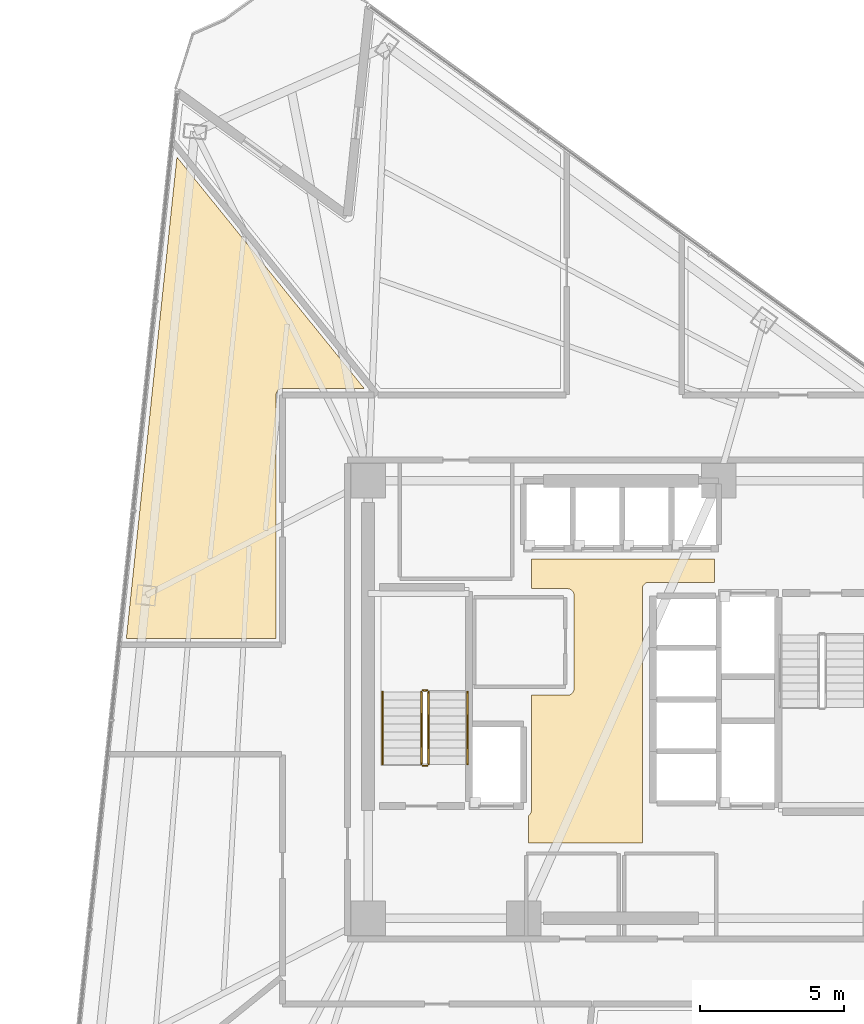
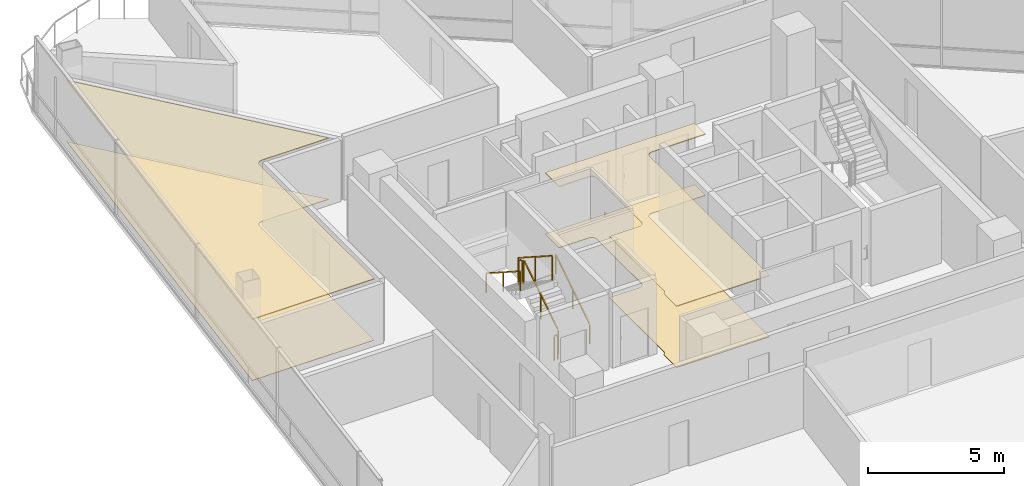
# One storey, part 15 of 17: 6 railings, 4 coverings.
"""IFC4 building model written with IfcOpenShell, lengths in metres."""

from ifc_helpers import new_model, si_unit, direction, frame, origin, origin_2d, place, context, subcontext, project, spatial, polyline, rectangle, outline, extrude, material, layer, layer_set, type_object, element, save


model = new_model("IFC4")

# Units and contexts
model_context = context("Model", 3, precision=1e-05, world=origin(), true_north=direction((0.0, 1.0)))
body_context = subcontext(model_context, "Body", "Model", "MODEL_VIEW")
ifc_project = project(units=[si_unit("LENGTHUNIT", "METRE"), si_unit("AREAUNIT", "SQUARE_METRE"), si_unit("VOLUMEUNIT", "CUBIC_METRE"), si_unit("PLANEANGLEUNIT", "RADIAN"), si_unit("MASSUNIT", "GRAM", prefix="KILO")], contexts=[model_context])

# Site, building, storey
site_placement = place(None, origin())
site = spatial("IfcSite", under=ifc_project, at=site_placement, CompositionType="ELEMENT")
building_placement = place(site_placement, origin())
building = spatial("IfcBuilding", under=site, at=building_placement, Name="Tharavind Bronze Gate", CompositionType="ELEMENT")
storey_placement = place(building_placement, frame((0.0, 0.0, 119.64990234375)))
storey = spatial("IfcBuildingStorey", under=building, at=storey_placement, Name="L30", CompositionType="ELEMENT", Elevation=119.64990234375)

# Coverings
ifc_material_1 = material(Name="Perforated Bronze Acoustic Panel", Category="bronze")
ifc_layer_1 = layer(ifc_material_1, 0.044921875)
ifc_layer_set_1 = layer_set([ifc_layer_1], Name="Perforated Bronze Acoustic Panel")
covering_type_1 = type_object("IfcCoveringType", Name="ACOUSTIC BRONZE BAFFLE CEILING", PredefinedType="CEILING", material=ifc_layer_set_1)
covering_1_placement = place(storey_placement, frame((0.0, 0.0, 2.75)))
element("IfcCovering", 1, at=covering_1_placement, inside=storey, type_object=covering_type_1, Name="L30-C-LL suspended ceiling", PredefinedType="CEILING", context=body_context, shape_type="SweptSolid", body=[
    extrude(outline(polyline([(-3.330078125, -4.97998046875), (0.6298828125, -4.97998046875), (0.6298828125, 3.85009765625), (0.631103515625, 3.87158203125), (0.63427734375, 3.892822265625), (0.639404296875, 3.913818359375), (0.646728515625, 3.93408203125), (0.656005859375, 3.95361328125), (0.6669921875, 3.97216796875), (0.679931640625, 3.989501953125), (0.6943359375, 4.005615234375), (0.71044921875, 4.02001953125), (0.727783203125, 4.032958984375), (0.746337890625, 4.0439453125), (0.765869140625, 4.05322265625), (0.7861328125, 4.060546875), (0.80712890625, 4.06591796875), (0.828369140625, 4.06884765625), (0.85009765625, 4.070068359375), (3.1298828125, 4.070068359375), (3.1298828125, 4.8798828125), (-3.22998046875, 4.8798828125), (-3.22998046875, 3.85009765625), (-1.969970703125, 3.85009765625), (-1.948486328125, 3.848876953125), (-1.927001953125, 3.845703125), (-1.906005859375, 3.840576171875), (-1.8857421875, 3.833251953125), (-1.8662109375, 3.823974609375), (-1.847900390625, 3.81298828125), (-1.830322265625, 3.800048828125), (-1.814453125, 3.78564453125), (-1.7998046875, 3.76953125), (-1.787109375, 3.752197265625), (-1.77587890625, 3.733642578125), (-1.7666015625, 3.714111328125), (-1.759521484375, 3.69384765625), (-1.754150390625, 3.6728515625), (-1.751220703125, 3.651611328125), (-1.75, 3.6298828125), (-1.75, 0.3701171875), (-1.751220703125, 0.348388671875), (-1.754150390625, 0.3271484375), (-1.759521484375, 0.30615234375), (-1.7666015625, 0.285888671875), (-1.77587890625, 0.266357421875), (-1.787109375, 0.247802734375), (-1.7998046875, 0.23046875), (-1.814453125, 0.21435546875), (-1.830322265625, 0.199951171875), (-1.847900390625, 0.18701171875), (-1.8662109375, 0.176025390625), (-1.8857421875, 0.166748046875), (-1.906005859375, 0.159423828125), (-1.927001953125, 0.154296875), (-1.948486328125, 0.151123046875), (-1.969970703125, 0.14990234375), (-3.22998046875, 0.14990234375), (-3.22998046875, -3.85009765625), (-3.231201171875, -3.87158203125), (-3.234130859375, -3.892822265625), (-3.239501953125, -3.913818359375), (-3.24658203125, -3.93408203125), (-3.256103515625, -3.95361328125), (-3.26708984375, -3.97216796875), (-3.27978515625, -3.989501953125), (-3.29443359375, -4.005615234375), (-3.310302734375, -4.02001953125), (-3.327880859375, -4.032958984375), (-3.330078125, -4.0341796875), (-3.330078125, -4.97998046875)])), origin(), (0.0, 0.0, 1.0), 0.03515625),
])
covering_2_placement = place(storey_placement, frame((0.0, 0.0, 2.75)))
element("IfcCovering", 2, at=covering_2_placement, inside=storey, type_object=covering_type_1, Name="L30-RM-03 suspended ceiling", PredefinedType="CEILING", context=body_context, shape_type="SweptSolid", body=[
    extrude(outline(polyline([(-12.10009765625, 2.1201171875), (-12.10009765625, 10.579345703125), (-12.099609375, 10.590087890625), (-12.099609375, 10.5908203125), (-12.09765625, 10.6123046875), (-12.093505859375, 10.63330078125), (-12.087158203125, 10.654052734375), (-12.078857421875, 10.674072265625), (-12.068603515625, 10.693115234375), (-12.056640625, 10.7109375), (-12.04296875, 10.727783203125), (-12.027587890625, 10.742919921875), (-12.010986328125, 10.756591796875), (-11.9931640625, 10.768798828125), (-11.97412109375, 10.77880859375), (-11.9541015625, 10.787109375), (-11.933349609375, 10.79345703125), (-11.912353515625, 10.797607421875), (-11.890869140625, 10.7998046875), (-11.89013671875, 10.7998046875), (-11.87939453125, 10.800048828125), (-9.02880859375, 10.800048828125), (-15.543701171875, 18.84521484375), (-17.301513671875, 2.1201171875), (-12.10009765625, 2.1201171875)])), origin(), (0.0, 0.0, 1.0), 0.03515625),
])
ifc_material_2 = material(Name="Engineered Oak & Carpet Tile", Category="wood")
ifc_layer_2 = layer(ifc_material_2, 0.02490234375)
ifc_layer_set_2 = layer_set([ifc_layer_2], Name="Engineered Oak & Carpet Tile")
covering_type_2 = type_object("IfcCoveringType", Name="ENGINEERED TIMBER FLOORING", PredefinedType="FLOORING", material=ifc_layer_set_2)
covering_3_placement = place(storey_placement, origin())
element("IfcCovering", 3, at=covering_3_placement, inside=storey, type_object=covering_type_2, Name="L30-RM-03 floor finish", PredefinedType="FLOORING", context=body_context, shape_type="SweptSolid", body=[
    extrude(outline(polyline([(-12.10009765625, 2.1201171875), (-12.10009765625, 10.579345703125), (-12.099609375, 10.590087890625), (-12.099609375, 10.5908203125), (-12.09765625, 10.6123046875), (-12.093505859375, 10.63330078125), (-12.087158203125, 10.654052734375), (-12.078857421875, 10.674072265625), (-12.068603515625, 10.693115234375), (-12.056640625, 10.7109375), (-12.04296875, 10.727783203125), (-12.027587890625, 10.742919921875), (-12.010986328125, 10.756591796875), (-11.9931640625, 10.768798828125), (-11.97412109375, 10.77880859375), (-11.9541015625, 10.787109375), (-11.933349609375, 10.79345703125), (-11.912353515625, 10.797607421875), (-11.890869140625, 10.7998046875), (-11.89013671875, 10.7998046875), (-11.87939453125, 10.800048828125), (-9.02880859375, 10.800048828125), (-15.543701171875, 18.84521484375), (-17.301513671875, 2.1201171875), (-12.10009765625, 2.1201171875)])), origin(), (0.0, 0.0, 1.0), 0.025146484375),
])
ifc_material_3 = material(Name="Honed Travertine Limestone", Category="masonry")
ifc_layer_3 = layer(ifc_material_3, 0.030029296875)
ifc_layer_set_3 = layer_set([ifc_layer_3], Name="Honed Travertine Limestone")
covering_type_3 = type_object("IfcCoveringType", Name="HONED LIMESTONE FLOORING", PredefinedType="FLOORING", material=ifc_layer_set_3)
covering_4_placement = place(storey_placement, origin())
element("IfcCovering", 4, at=covering_4_placement, inside=storey, type_object=covering_type_3, Name="L30-C-LL floor finish", PredefinedType="FLOORING", context=body_context, shape_type="SweptSolid", body=[
    extrude(outline(polyline([(-3.330078125, -4.97998046875), (0.6298828125, -4.97998046875), (0.6298828125, 3.85009765625), (0.631103515625, 3.87158203125), (0.63427734375, 3.892822265625), (0.639404296875, 3.913818359375), (0.646728515625, 3.93408203125), (0.656005859375, 3.95361328125), (0.6669921875, 3.97216796875), (0.679931640625, 3.989501953125), (0.6943359375, 4.005615234375), (0.71044921875, 4.02001953125), (0.727783203125, 4.032958984375), (0.746337890625, 4.0439453125), (0.765869140625, 4.05322265625), (0.7861328125, 4.060546875), (0.80712890625, 4.06591796875), (0.828369140625, 4.06884765625), (0.85009765625, 4.070068359375), (3.1298828125, 4.070068359375), (3.1298828125, 4.8798828125), (-3.22998046875, 4.8798828125), (-3.22998046875, 3.85009765625), (-1.969970703125, 3.85009765625), (-1.948486328125, 3.848876953125), (-1.927001953125, 3.845703125), (-1.906005859375, 3.840576171875), (-1.8857421875, 3.833251953125), (-1.8662109375, 3.823974609375), (-1.847900390625, 3.81298828125), (-1.830322265625, 3.800048828125), (-1.814453125, 3.78564453125), (-1.7998046875, 3.76953125), (-1.787109375, 3.752197265625), (-1.77587890625, 3.733642578125), (-1.7666015625, 3.714111328125), (-1.759521484375, 3.69384765625), (-1.754150390625, 3.6728515625), (-1.751220703125, 3.651611328125), (-1.75, 3.6298828125), (-1.75, 0.3701171875), (-1.751220703125, 0.348388671875), (-1.754150390625, 0.3271484375), (-1.759521484375, 0.30615234375), (-1.7666015625, 0.285888671875), (-1.77587890625, 0.266357421875), (-1.787109375, 0.247802734375), (-1.7998046875, 0.23046875), (-1.814453125, 0.21435546875), (-1.830322265625, 0.199951171875), (-1.847900390625, 0.18701171875), (-1.8662109375, 0.176025390625), (-1.8857421875, 0.166748046875), (-1.906005859375, 0.159423828125), (-1.927001953125, 0.154296875), (-1.948486328125, 0.151123046875), (-1.969970703125, 0.14990234375), (-3.22998046875, 0.14990234375), (-3.22998046875, -3.85009765625), (-3.231201171875, -3.87158203125), (-3.234130859375, -3.892822265625), (-3.239501953125, -3.913818359375), (-3.24658203125, -3.93408203125), (-3.256103515625, -3.95361328125), (-3.26708984375, -3.97216796875), (-3.27978515625, -3.989501953125), (-3.29443359375, -4.005615234375), (-3.310302734375, -4.02001953125), (-3.327880859375, -4.032958984375), (-3.330078125, -4.0341796875), (-3.330078125, -4.97998046875)])), origin(), (0.0, 0.0, 1.0), 0.025146484375),
])

# Railings
ifc_material_4 = material(Name="Brushed Bronze Alloy", Category="metal")
railing_type_1 = type_object("IfcRailingType", Name="STAIR BRONZE HANDRAIL 900", PredefinedType="HANDRAIL", material=ifc_material_4)
railing_1_placement = place(storey_placement, frame((-5.449951171875, -2.25, 0.18017578125)))
element("IfcRailing", 5, at=railing_1_placement, inside=storey, type_object=railing_type_1, Name="L30 ST1 stair handrail 1", PredefinedType="HANDRAIL", context=body_context, shape_type="SweptSolid", body=[
    extrude(rectangle(XDim=0.048095703125, YDim=0.048095703125, at=origin_2d()), frame((0.0, 0.02685546875, 0.89306640625), z_axis=(0.0, 0.841199657755, 0.540724639528), x_axis=(-1.0, 0.0, 0.0)), (0.0, 0.0, 1.0), 2.931640625),
    extrude(rectangle(XDim=0.0400390625, YDim=0.0400390625, at=origin_2d()), origin(), (0.0, 0.0, 1.0), 0.847900390625),
    extrude(rectangle(XDim=0.0400390625, YDim=0.0400390625, at=origin_2d()), frame((0.0, 1.260009765625, 0.81005859375)), (0.0, 0.0, 1.0), 0.847900390625),
    extrude(rectangle(XDim=0.0400390625, YDim=0.0400390625, at=origin_2d()), frame((0.0, 2.52001953125, 1.619873046875)), (0.0, 0.0, 1.0), 0.847900390625),
])
railing_2_placement = place(storey_placement, frame((-8.39990234375, 0.27001953125, 1.97998046875)))
element("IfcRailing", 6, at=railing_2_placement, inside=storey, type_object=railing_type_1, Name="L30 ST1 stair handrail 2", PredefinedType="HANDRAIL", context=body_context, shape_type="SweptSolid", body=[
    extrude(rectangle(XDim=0.048095703125, YDim=0.048095703125, at=origin_2d()), frame((0.0, -0.02685546875, 0.89306640625), z_axis=(0.0, -0.841162588446, 0.540782303519), x_axis=(1.0, 0.0, 0.0)), (0.0, 0.0, 1.0), 2.931884765625),
    extrude(rectangle(XDim=0.0400390625, YDim=0.0400390625, at=origin_2d()), origin(), (0.0, 0.0, 1.0), 0.847900390625),
    extrude(rectangle(XDim=0.0400390625, YDim=0.0400390625, at=origin_2d()), frame((0.0, -1.260009765625, 0.81005859375)), (0.0, 0.0, 1.0), 0.847900390625),
    extrude(rectangle(XDim=0.0400390625, YDim=0.0400390625, at=origin_2d()), frame((0.0, -2.52001953125, 1.6201171875)), (0.0, 0.0, 1.0), 0.847900390625),
])
railing_type_2 = type_object("IfcRailingType", Name="STAIR WELL GUARD RAILING 1120", PredefinedType="GUARDRAIL", material=ifc_material_4)
railing_3_placement = place(storey_placement, frame((-6.800048828125, -2.25, 0.18017578125)))
element("IfcRailing", 7, at=railing_3_placement, inside=storey, type_object=railing_type_2, Name="L30 ST1 stair guard 1", PredefinedType="GUARDRAIL", context=body_context, shape_type="SweptSolid", body=[
    extrude(rectangle(XDim=0.048095703125, YDim=0.048095703125, at=origin_2d()), frame((0.0, 0.02685546875, 1.11328125), z_axis=(0.0, 0.841199657755, 0.540724639528), x_axis=(-1.0, 0.0, 0.0)), (0.0, 0.0, 1.0), 2.931640625),
    extrude(rectangle(XDim=0.0400390625, YDim=0.0400390625, at=origin_2d()), origin(), (0.0, 0.0, 1.0), 1.068115234375),
    extrude(rectangle(XDim=0.0400390625, YDim=0.0400390625, at=origin_2d()), frame((0.0, 1.260009765625, 0.81005859375)), (0.0, 0.0, 1.0), 1.068115234375),
    extrude(rectangle(XDim=0.0400390625, YDim=0.0400390625, at=origin_2d()), frame((0.0, 2.52001953125, 1.619873046875)), (0.0, 0.0, 1.0), 1.068115234375),
])
railing_4_placement = place(storey_placement, frame((-6.85009765625, 0.320068359375, 1.800048828125)))
element("IfcRailing", 8, at=railing_4_placement, inside=storey, type_object=railing_type_2, Name="L30 ST1 stair guard 2", PredefinedType="GUARDRAIL", context=body_context, shape_type="SweptSolid", body=[
    extrude(rectangle(XDim=0.048095703125, YDim=0.048095703125, at=origin_2d()), frame((-0.031982421875, 0.0, 1.09619140625), z_axis=(-1.0, 0.0, 0.0), x_axis=(0.0, -1.0, 0.0)), (0.0, 0.0, 1.0), 0.0859375),
    extrude(rectangle(XDim=0.0400390625, YDim=0.0400390625, at=origin_2d()), origin(), (0.0, 0.0, 1.0), 1.068115234375),
    extrude(rectangle(XDim=0.0400390625, YDim=0.0400390625, at=origin_2d()), frame((-0.14990234375, 0.0, 0.0)), (0.0, 0.0, 1.0), 1.068115234375),
])
railing_5_placement = place(storey_placement, frame((-7.050048828125, 0.27001953125, 1.97998046875)))
element("IfcRailing", 9, at=railing_5_placement, inside=storey, type_object=railing_type_2, Name="L30 ST1 stair guard 3", PredefinedType="GUARDRAIL", context=body_context, shape_type="SweptSolid", body=[
    extrude(rectangle(XDim=0.048095703125, YDim=0.048095703125, at=origin_2d()), frame((0.0, -0.02685546875, 1.11328125), z_axis=(0.0, -0.841162588446, 0.540782303519), x_axis=(1.0, 0.0, 0.0)), (0.0, 0.0, 1.0), 2.931884765625),
    extrude(rectangle(XDim=0.0400390625, YDim=0.0400390625, at=origin_2d()), origin(), (0.0, 0.0, 1.0), 1.068115234375),
    extrude(rectangle(XDim=0.0400390625, YDim=0.0400390625, at=origin_2d()), frame((0.0, -1.260009765625, 0.81005859375)), (0.0, 0.0, 1.0), 1.068115234375),
    extrude(rectangle(XDim=0.0400390625, YDim=0.0400390625, at=origin_2d()), frame((0.0, -2.52001953125, 1.6201171875)), (0.0, 0.0, 1.0), 1.068115234375),
])
railing_6_placement = place(storey_placement, frame((-6.85009765625, -2.300048828125, 0.0)))
element("IfcRailing", 10, at=railing_6_placement, inside=storey, type_object=railing_type_2, Name="L30 ST1 stair guard 4", PredefinedType="GUARDRAIL", context=body_context, shape_type="SweptSolid", body=[
    extrude(rectangle(XDim=0.048095703125, YDim=0.048095703125, at=origin_2d()), frame((-0.031982421875, 0.0, 1.09619140625), z_axis=(-1.0, 0.0, 0.0), x_axis=(0.0, -1.0, 0.0)), (0.0, 0.0, 1.0), 0.0859375),
    extrude(rectangle(XDim=0.0400390625, YDim=0.0400390625, at=origin_2d()), origin(), (0.0, 0.0, 1.0), 1.068115234375),
    extrude(rectangle(XDim=0.0400390625, YDim=0.0400390625, at=origin_2d()), frame((-0.14990234375, 0.0, 0.0)), (0.0, 0.0, 1.0), 1.068115234375),
])

save(model, "model.ifc")
